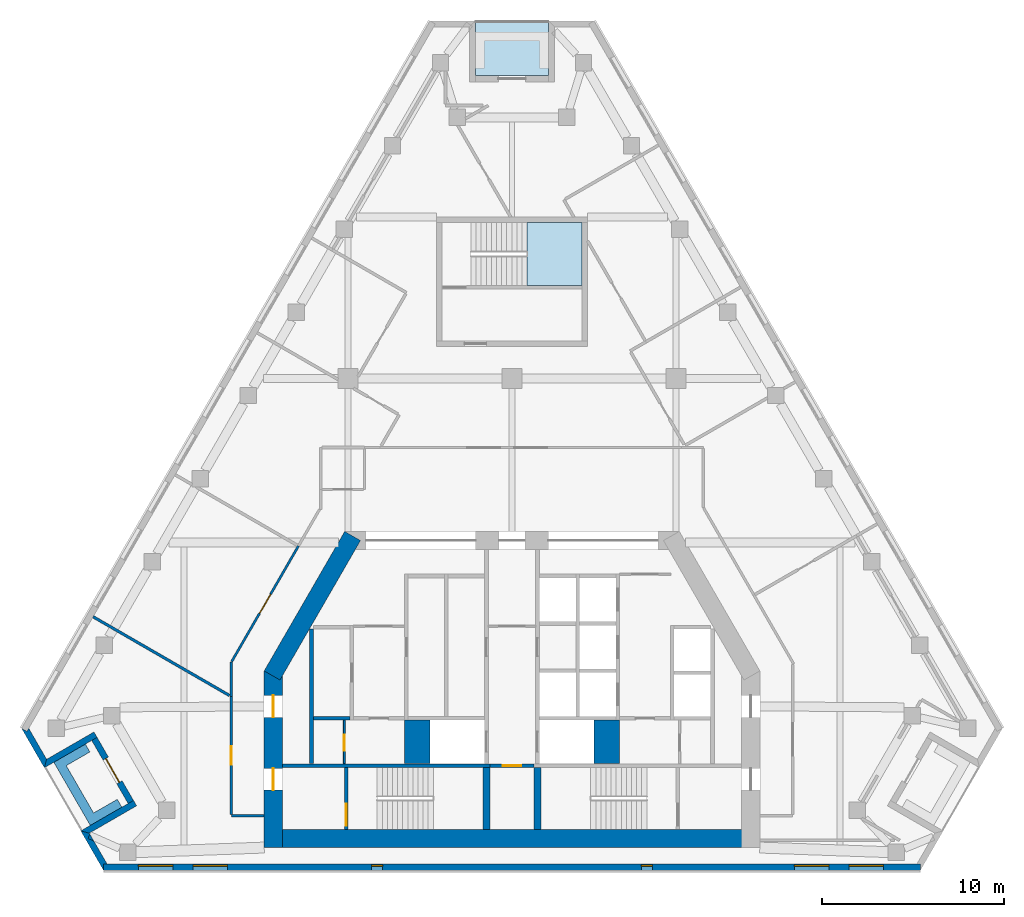
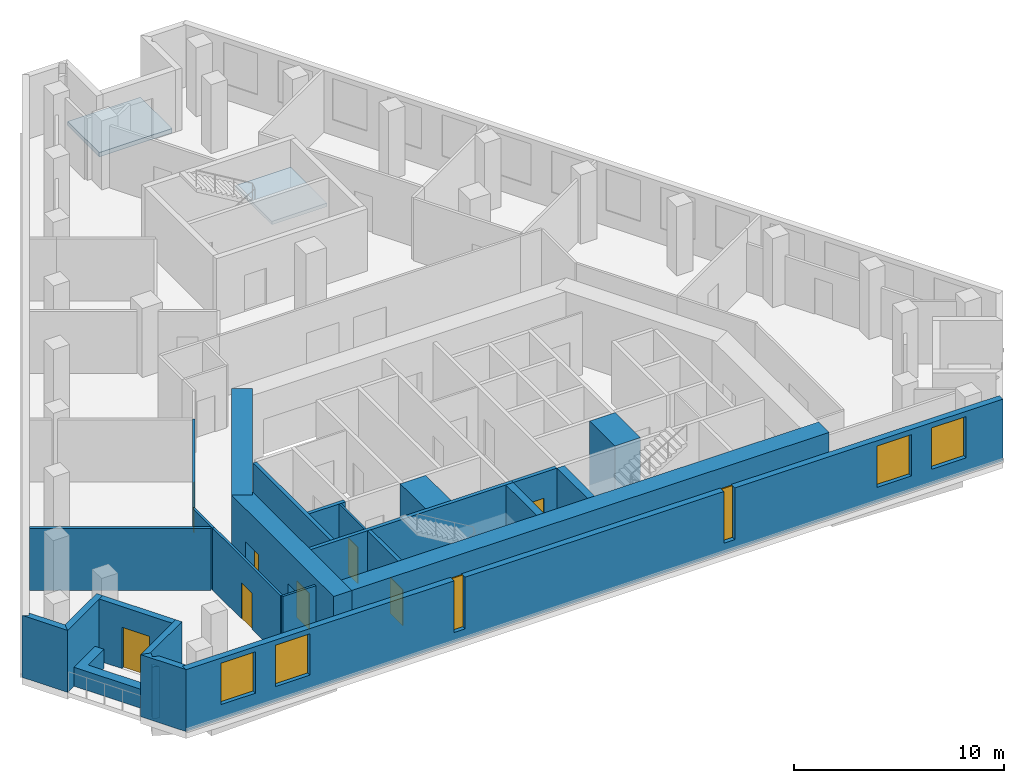
# One storey, part 2 of 8: 26 walls, 8 doors, 6 windows, 2 slabs, 14 openings, 1 element without a shape of its own.
"""IFC4 building model written with IfcOpenShell, lengths in metres."""

from ifc_helpers import new_model, si_unit, direction, frame, frame_2d, origin, place, context, subcontext, project, spatial, polyline, rectangle, outline, extrude, material, layer, layer_set, type_object, element, fill, aggregate, save


model = new_model("IFC4")

# Units and contexts
model_context = context("Model", 3, precision=1e-05, world=origin(), true_north=direction((0.0, 1.0)))
body_context = subcontext(model_context, "Body", "Model", "MODEL_VIEW")
ifc_project = project(units=[si_unit("LENGTHUNIT", "METRE"), si_unit("AREAUNIT", "SQUARE_METRE"), si_unit("VOLUMEUNIT", "CUBIC_METRE"), si_unit("PLANEANGLEUNIT", "RADIAN"), si_unit("MASSUNIT", "GRAM", prefix="KILO")], contexts=[model_context])

# Site, building, storey
site_placement = place(None, origin())
site = spatial("IfcSite", under=ifc_project, at=site_placement, CompositionType="ELEMENT")
building_placement = place(site_placement, origin())
building = spatial("IfcBuilding", under=site, at=building_placement, Name="Fogline Exchange Tower", CompositionType="ELEMENT")
storey_placement = place(building_placement, frame((0.0, 0.0, 223.5)))
storey = spatial("IfcBuildingStorey", under=building, at=storey_placement, Name="L50", CompositionType="ELEMENT", Elevation=223.5)

# Slab
ifc_material_1 = material(Name="Concrete C40", Category="concrete")
ifc_layer_1 = layer(ifc_material_1, 0.25)
ifc_layer_set_1 = layer_set([ifc_layer_1], Name="DK1")
slab_type_1 = type_object("IfcSlabType", Name="DK1", PredefinedType="FLOOR", material=ifc_layer_set_1)
slab_1_placement = place(storey_placement, frame((0.0, 0.0, -0.25)))
element("IfcSlab", 1, at=slab_1_placement, inside=storey, type_object=slab_type_1, Name="Balcony L50 N", PredefinedType="FLOOR", context=body_context, shape_type="SweptSolid", body=[
    extrude(outline(polyline([(2.0, 46.61669921875), (-2.0, 46.61669921875), (-2.0, 43.61669921875), (2.0, 43.61669921875), (2.0, 46.61669921875)])), origin(), (0.0, 0.0, 1.0), 0.25),
])

# Stair, slab
stair_type = type_object("IfcStairType", Name="STR24-1667", PredefinedType="HALF_TURN_STAIR", material=ifc_material_1)
stair_placement = place(storey_placement, origin())
stair = element("IfcStair", 2, at=stair_placement, inside=storey, type_object=stair_type, Name="Stair ST3", PredefinedType="HALF_TURN_STAIR")
ifc_layer_2 = layer(ifc_material_1, 0.199951171875)
ifc_layer_set_2 = layer_set([ifc_layer_2], Name="SL200")
slab_type_2 = type_object("IfcSlabType", Name="SL200", PredefinedType="LANDING", material=ifc_layer_set_2)
slab_2_placement = place(storey_placement, frame((0.0, 0.0, 1.800048828125)))
slab_2 = element("IfcSlab", 3, at=slab_2_placement, type_object=slab_type_2, Name="ST3 landing 1", PredefinedType="LANDING", context=body_context, shape_type="SweptSolid", body=[
    extrude(outline(polyline([(0.830078125, 32.10693359375), (3.85009765625, 32.10693359375), (3.85009765625, 35.556884765625), (0.830078125, 35.556884765625), (0.830078125, 32.10693359375)])), origin(), (0.0, 0.0, 1.0), 0.199951171875),
])
aggregate(stair, [slab_2])

# Wall, opening, door
ifc_material_2 = material(Name="Blockwork partition", Category="masonry")
ifc_layer_3 = layer(ifc_material_2, 0.10009765625)
ifc_layer_set_3 = layer_set([ifc_layer_3], Name="CW10")
wall_type_1 = type_object("IfcWallType", Name="CW10", PredefinedType="PARTITIONING", material=ifc_layer_set_3)
wall_1_placement = place(storey_placement, frame((-9.199951171875, 5.85009765625, 0.0), z_axis=(0.0, 0.0, 1.0), x_axis=(0.0, 1.0, 0.0)))
wall_1 = element("IfcWall", 4, at=wall_1_placement, inside=storey, type_object=wall_type_1, Name="WC partition", PredefinedType="PARTITIONING", context=body_context, shape_type="SweptSolid", body=[
    extrude(rectangle(XDim=2.39990234375, YDim=0.10009765625, at=frame_2d((1.199951171875, 0.0))), origin(), (0.0, 0.0, 1.0), 3.60009765625),
])
opening_1_placement = place(wall_1_placement, frame((0.699951171875, 0.0, 0.0)))
opening_1 = element("IfcOpeningElement", 5, at=opening_1_placement, cuts=wall_1, Name="Opening T16-C008", PredefinedType="OPENING", context=body_context, shape_type="SweptSolid", body=[
    extrude(rectangle(XDim=0.89990234375, YDim=2.10009765625, at=frame_2d((0.449951171875, 1.050048828125))), frame((0.0, 0.06005859375, 0.0), z_axis=(0.0, -1.0, 0.0), x_axis=(1.0, 0.0, 0.0)), (0.0, 0.0, 1.0), 0.1201171875),
])
ifc_material_3 = material(Name="Steel and timber fire door", Category="steel")
door_type_1 = type_object("IfcDoorType", Name="D-CS1", OperationType="SINGLE_SWING_RIGHT", PredefinedType="DOOR", material=ifc_material_3)
door_1_placement = place(opening_1_placement, origin())
door_1 = element("IfcDoor", 6, at=door_1_placement, inside=storey, type_object=door_type_1, Name="Door to Cleaner's Store", OperationType="SINGLE_SWING_LEFT", OverallHeight=2.10009765625, OverallWidth=0.89990234375, PredefinedType="DOOR", context=body_context, shape_type="SweptSolid", body=[
    extrude(rectangle(XDim=0.89990234375, YDim=2.10009765625, at=frame_2d((0.449951171875, 1.050048828125))), frame((0.0, 0.02490234375, 0.0), z_axis=(0.0, -1.0, 0.0), x_axis=(1.0, 0.0, 0.0)), (0.0, 0.0, 1.0), 0.050048828125),
])
fill(opening_1, door_1)

# Walls
ifc_material_4 = material(Name="Concrete C60", Category="concrete")
ifc_layer_4 = layer(ifc_material_4, 1.39990234375)
ifc_layer_set_4 = layer_set([ifc_layer_4], Name="CW140")
wall_type_2 = type_object("IfcWallType", Name="CW140", PredefinedType="SOLIDWALL", material=ifc_layer_set_4)
for number, where, z_axis, x_axis, name in (
    (7, (-5.199951171875, 5.85009765625, -0.39990234375), (0.0, 0.0, 1.0), (0.0, 1.0, 0.0), "Lift shaft block wall"),
    (8, (5.199951171875, 5.85009765625, -0.39990234375), (0.0, 0.0, 1.0), (0.0, 1.0, 0.0), "Lift shaft block wall"),
):
    element("IfcWall", number, at=place(storey_placement, frame(where, z_axis=z_axis, x_axis=x_axis)), inside=storey, type_object=wall_type_2, Name=name, PredefinedType="SOLIDWALL", context=body_context, shape_type="SweptSolid", body=[
        extrude(rectangle(XDim=2.39990234375, YDim=1.39990234375, at=frame_2d((1.199951171875, 0.0))), origin(), (0.0, 0.0, 1.0), 4.0),
    ])
ifc_layer_5 = layer(ifc_material_1, 0.199951171875)
ifc_layer_set_5 = layer_set([ifc_layer_5], Name="CW20")
wall_type_3 = type_object("IfcWallType", Name="CW20", PredefinedType="SOLIDWALL", material=ifc_layer_set_5)
wall_2_placement = place(storey_placement, frame((-11.0, 5.85009765625, 0.0), z_axis=(0.0, 0.0, 1.0), x_axis=(0.0, 1.0, 0.0)))
element("IfcWall", 9, at=wall_2_placement, inside=storey, type_object=wall_type_3, Name="Service room wall", PredefinedType="SOLIDWALL", context=body_context, shape_type="SweptSolid", body=[
    extrude(rectangle(XDim=7.39990234375, YDim=0.199951171875, at=frame_2d((3.699951171875, 0.0))), origin(), (0.0, 0.0, 1.0), 3.60009765625),
])
ifc_layer_6 = layer(ifc_material_1, 0.199951171875)
ifc_layer_set_6 = layer_set([ifc_layer_6], Name="CW20R")
wall_type_4 = type_object("IfcWallType", Name="CW20R", PredefinedType="SOLIDWALL", material=ifc_layer_set_6)
wall_3_placement = place(storey_placement, frame((-12.60009765625, 5.75, -0.39990234375), z_axis=(0.0, 0.0, 1.0), x_axis=(1.0, 0.0, 0.0)))
element("IfcWall", 10, at=wall_3_placement, inside=storey, type_object=wall_type_4, Name="Stair enclosure wall", PredefinedType="SOLIDWALL", context=body_context, shape_type="SweptSolid", body=[
    extrude(rectangle(XDim=11.400146484375, YDim=0.199951171875, at=frame_2d((5.7001953125, 0.0))), origin(), (0.0, 0.0, 1.0), 4.0),
])

# Wall, opening, door
wall_4_placement = place(storey_placement, frame((-1.199951171875, 5.75, -0.39990234375), z_axis=(0.0, 0.0, 1.0), x_axis=(1.0, 0.0, 0.0)))
wall_4 = element("IfcWall", 11, at=wall_4_placement, inside=storey, type_object=wall_type_4, Name="Stair enclosure wall", PredefinedType="SOLIDWALL", context=body_context, shape_type="SweptSolid", body=[
    extrude(rectangle(XDim=2.39990234375, YDim=0.199951171875, at=frame_2d((1.199951171875, 0.0))), origin(), (0.0, 0.0, 1.0), 4.0),
])
opening_2_placement = place(wall_4_placement, frame((0.699951171875, 0.0, 0.39990234375)))
opening_2 = element("IfcOpeningElement", 12, at=opening_2_placement, cuts=wall_4, Name="Opening T16-C005", PredefinedType="OPENING", context=body_context, shape_type="SweptSolid", body=[
    extrude(rectangle(XDim=1.0, YDim=2.10009765625, at=frame_2d((0.5, 1.050048828125))), frame((0.0, 0.10986328125, 0.0), z_axis=(0.0, -1.0, 0.0), x_axis=(1.0, 0.0, 0.0)), (0.0, 0.0, 1.0), 0.219970703125),
])
door_type_2 = type_object("IfcDoorType", Name="D-RM1", OperationType="SINGLE_SWING_LEFT", PredefinedType="DOOR", material=ifc_material_3)
door_2_placement = place(opening_2_placement, frame((1.0, 0.0, 0.0), z_axis=(0.0, 0.0, 1.0), x_axis=(-1.0, 0.0, 0.0)))
door_2 = element("IfcDoor", 13, at=door_2_placement, inside=storey, type_object=door_type_2, Name="Door to Riser Room", OperationType="SINGLE_SWING_RIGHT", OverallHeight=2.10009765625, OverallWidth=1.0, PredefinedType="DOOR", context=body_context, shape_type="SweptSolid", body=[
    extrude(rectangle(XDim=1.0, YDim=2.10009765625, at=frame_2d((0.5, 1.050048828125))), frame((0.0, 0.02490234375, 0.0), z_axis=(0.0, -1.0, 0.0), x_axis=(1.0, 0.0, 0.0)), (0.0, 0.0, 1.0), 0.050048828125),
])
fill(opening_2, door_2)

wall_5_placement = place(storey_placement, frame((-9.10009765625, 2.25, -0.39990234375), z_axis=(0.0, 0.0, 1.0), x_axis=(0.0, 1.0, 0.0)))
wall_5 = element("IfcWall", 14, at=wall_5_placement, inside=storey, type_object=wall_type_4, Name="Stair enclosure wall", PredefinedType="SOLIDWALL", context=body_context, shape_type="SweptSolid", body=[
    extrude(rectangle(XDim=3.39990234375, YDim=0.199951171875, at=frame_2d((1.699951171875, 0.0))), origin(), (0.0, 0.0, 1.0), 4.0),
])
opening_3_placement = place(wall_5_placement, frame((0.199951171875, 0.0, 0.39990234375)))
opening_3 = element("IfcOpeningElement", 15, at=opening_3_placement, cuts=wall_5, Name="Opening T16-C010", PredefinedType="OPENING", context=body_context, shape_type="SweptSolid", body=[
    extrude(rectangle(XDim=1.199951171875, YDim=2.10009765625, at=frame_2d((0.60009765625, 1.050048828125))), frame((0.0, 0.10986328125, 0.0), z_axis=(0.0, -1.0, 0.0), x_axis=(1.0, 0.0, 0.0)), (0.0, 0.0, 1.0), 0.219970703125),
])
door_type_3 = type_object("IfcDoorType", Name="D-ST1", OperationType="SINGLE_SWING_LEFT", PredefinedType="DOOR", material=ifc_material_3)
door_3_placement = place(opening_3_placement, frame((1.199951171875, 0.0, 0.0), z_axis=(0.0, 0.0, 1.0), x_axis=(-1.0, 0.0, 0.0)))
door_3 = element("IfcDoor", 16, at=door_3_placement, inside=storey, type_object=door_type_3, Name="Stair door ST1", OperationType="SINGLE_SWING_RIGHT", OverallHeight=2.10009765625, OverallWidth=1.199951171875, PredefinedType="DOOR", context=body_context, shape_type="SweptSolid", body=[
    extrude(rectangle(XDim=1.199951171875, YDim=2.10009765625, at=frame_2d((0.60009765625, 1.050048828125))), frame((0.0, 0.02490234375, 0.0), z_axis=(0.0, -1.0, 0.0), x_axis=(1.0, 0.0, 0.0)), (0.0, 0.0, 1.0), 0.050048828125),
])
fill(opening_3, door_3)

# Walls
ifc_layer_7 = layer(ifc_material_1, 0.199951171875)
ifc_layer_set_7 = layer_set([ifc_layer_7], Name="CW20S")
wall_type_5 = type_object("IfcWallType", Name="CW20S", PredefinedType="SOLIDWALL", material=ifc_layer_set_7)
wall_6_placement = place(storey_placement, frame((-10.89990234375, 8.35009765625, -0.39990234375), z_axis=(0.0, 0.0, 1.0), x_axis=(1.0, 0.0, 0.0)))
element("IfcWall", 17, at=wall_6_placement, inside=storey, type_object=wall_type_5, Name="Lift shaft wall", PredefinedType="SOLIDWALL", context=body_context, shape_type="SweptSolid", body=[
    extrude(rectangle(XDim=2.0, YDim=0.199951171875, at=frame_2d((1.0, 0.0))), origin(), (0.0, 0.0, 1.0), 4.0),
])
ifc_layer_8 = layer(ifc_material_1, 0.39990234375)
ifc_layer_set_8 = layer_set([ifc_layer_8], Name="CW40R")
wall_type_6 = type_object("IfcWallType", Name="CW40R", PredefinedType="SOLIDWALL", material=ifc_layer_set_8)
for number, where, z_axis, x_axis, name in (
    (18, (-1.39990234375, 2.25, -0.39990234375), (0.0, 0.0, 1.0), (0.0, 1.0, 0.0), "Stair and lift shaft wall"),
    (19, (1.39990234375, 2.25, -0.39990234375), (0.0, 0.0, 1.0), (0.0, 1.0, 0.0), "Stair and lift shaft wall"),
):
    element("IfcWall", number, at=place(storey_placement, frame(where, z_axis=z_axis, x_axis=x_axis)), inside=storey, type_object=wall_type_6, Name=name, PredefinedType="SOLIDWALL", context=body_context, shape_type="SweptSolid", body=[
        extrude(rectangle(XDim=3.39990234375, YDim=0.39990234375, at=frame_2d((1.699951171875, 0.0))), origin(), (0.0, 0.0, 1.0), 4.0),
    ])
ifc_material_5 = material(Name="Brick masonry", Category="masonry")
ifc_layer_9 = layer(ifc_material_5, 0.340087890625)
ifc_layer_set_9 = layer_set([ifc_layer_9], Name="FW1")
wall_type_7 = type_object("IfcWallType", Name="FW1", PredefinedType="SOLIDWALL", material=ifc_layer_set_9)
wall_7_placement = place(storey_placement, origin())
element("IfcWall", 20, at=wall_7_placement, inside=storey, type_object=wall_type_7, Name="Brick wall L50 SW-c1", PredefinedType="SOLIDWALL", context=body_context, shape_type="SweptSolid", body=[
    extrude(outline(polyline([(-25.6640625, 5.6279296875), (-26.915283203125, 7.794921875), (-26.914794921875, 7.79541015625), (-26.619873046875, 7.625), (-26.521484375, 7.79541015625), (-25.5390625, 6.09375), (-25.663818359375, 5.6279296875), (-25.6640625, 5.6279296875)])), origin(), (0.0, 0.0, 1.0), 3.60009765625),
])
wall_8_placement = place(storey_placement, origin())
element("IfcWall", 21, at=wall_8_placement, inside=storey, type_object=wall_type_7, Name="Brick wall L50 SW-s1", PredefinedType="SOLIDWALL", context=body_context, shape_type="SweptSolid", body=[
    extrude(outline(polyline([(-22.94140625, 7.594482421875), (-22.770751953125, 7.298828125), (-23.065673828125, 7.128662109375), (-25.664794921875, 5.628173828125), (-25.6650390625, 5.62841796875), (-25.540283203125, 6.093994140625), (-22.94140625, 7.594482421875)])), origin(), (0.0, 0.0, 1.0), 3.60009765625),
])

# Wall, opening, door
wall_9_placement = place(storey_placement, frame((-22.9189453125, 7.214111328125, 0.0), z_axis=(0.0, 0.0, 1.0), x_axis=(0.49999894854, -0.866026010844, 0.0)))
wall_9 = element("IfcWall", 22, at=wall_9_placement, inside=storey, type_object=wall_type_7, Name="Brick wall L50 SW-bk", PredefinedType="SOLIDWALL", context=body_context, shape_type="SweptSolid", body=[
    extrude(rectangle(XDim=4.0, YDim=0.340087890625, at=frame_2d((2.0, 0.0))), origin(), (0.0, 0.0, 1.0), 3.60009765625),
])
opening_4_placement = place(wall_9_placement, frame((1.25, 0.0, 0.0)))
opening_4 = element("IfcOpeningElement", 23, at=opening_4_placement, cuts=wall_9, Name="Opening T16-E021", PredefinedType="OPENING", context=body_context, shape_type="SweptSolid", body=[
    extrude(rectangle(XDim=1.5, YDim=2.39990234375, at=frame_2d((0.75, 1.199951171875))), frame((0.0, 0.18017578125, 0.0), z_axis=(0.0, -1.0, 0.0), x_axis=(1.0, 0.0, 0.0)), (0.0, 0.0, 1.0), 0.360107421875),
])
ifc_material_6 = material(Name="Aluminium and glass", Category="aluminium")
door_type_4 = type_object("IfcDoorType", Name="ED4", OperationType="SINGLE_SWING_LEFT", PredefinedType="DOOR", material=ifc_material_6)
door_4_placement = place(opening_4_placement, frame((1.5, 0.0, 0.0), z_axis=(0.0, 0.0, 1.0), x_axis=(-1.0, 0.0, 0.0)))
door_4 = element("IfcDoor", 24, at=door_4_placement, inside=storey, type_object=door_type_4, Name="Balcony door L50 SW", OperationType="DOUBLE_DOOR_SINGLE_SWING", OverallHeight=2.39990234375, OverallWidth=1.5, PredefinedType="DOOR", context=body_context, shape_type="SweptSolid", body=[
    extrude(rectangle(XDim=1.5, YDim=2.39990234375, at=frame_2d((0.75, 1.199951171875))), frame((0.0, 0.02490234375, 0.0), z_axis=(0.0, -1.0, 0.0), x_axis=(1.0, 0.0, 0.0)), (0.0, 0.0, 1.0), 0.050048828125),
])
fill(opening_4, door_4)

# Walls
wall_10_placement = place(storey_placement, origin())
element("IfcWall", 25, at=wall_10_placement, inside=storey, type_object=wall_type_7, Name="Brick wall L50 SW-s2", PredefinedType="SOLIDWALL", context=body_context, shape_type="SweptSolid", body=[
    extrude(outline(polyline([(-23.665283203125, 2.1650390625), (-21.06640625, 3.66552734375), (-20.771484375, 3.8359375), (-20.600830078125, 3.540283203125), (-23.19970703125, 2.0400390625), (-23.665283203125, 2.164794921875), (-23.665283203125, 2.1650390625)])), origin(), (0.0, 0.0, 1.0), 3.60009765625),
])
wall_11_placement = place(storey_placement, origin())
element("IfcWall", 26, at=wall_11_placement, inside=storey, type_object=wall_type_7, Name="Brick wall L50 SW-c2", PredefinedType="SOLIDWALL", context=body_context, shape_type="SweptSolid", body=[
    extrude(outline(polyline([(-22.9482421875, 1.606201171875), (-23.271484375, 1.75), (-23.1669921875, 1.985107421875), (-22.9482421875, 1.606201171875)])), origin(), (0.0, 0.0, 1.0), 3.0),
])
wall_12_placement = place(storey_placement, origin())
element("IfcWall", 27, at=wall_12_placement, inside=storey, type_object=wall_type_7, Name="Brick wall L50 SW-c2", PredefinedType="SOLIDWALL", context=body_context, shape_type="SweptSolid", body=[
    extrude(outline(polyline([(-22.41357421875, 0.33935546875), (-22.41357421875, -0.0009765625), (-22.4140625, -0.001220703125), (-23.665283203125, 2.165771484375), (-23.6650390625, 2.166015625), (-23.19921875, 2.041015625), (-23.1669921875, 1.985107421875), (-23.271484375, 1.75), (-22.9482421875, 1.606201171875), (-22.216796875, 0.33935546875), (-22.41357421875, 0.33935546875)])), origin(), (0.0, 0.0, 1.0), 3.60009765625),
])

# Wall, openings, windows
wall_13_placement = place(storey_placement, frame((-22.4140625, 0.169921875, 0.0), z_axis=(0.0, 0.0, 1.0), x_axis=(1.0, 0.0, 0.0)))
wall_13 = element("IfcWall", 28, at=wall_13_placement, inside=storey, type_object=wall_type_7, Name="Brick wall L50 S", PredefinedType="SOLIDWALL", context=body_context, shape_type="SweptSolid", body=[
    extrude(rectangle(XDim=44.828125, YDim=0.340087890625, at=frame_2d((22.4140625, 0.0))), origin(), (0.0, 0.0, 1.0), 3.60009765625),
])
opening_5_placement = place(wall_13_placement, frame((1.9140625, 0.0, 0.89990234375)))
opening_5 = element("IfcOpeningElement", 29, at=opening_5_placement, cuts=wall_13, Name="Opening W1", PredefinedType="OPENING", context=body_context, shape_type="SweptSolid", body=[
    extrude(rectangle(XDim=1.885009765625, YDim=2.39990234375, at=frame_2d((0.9423828125, 1.199951171875))), frame((0.0, 0.18017578125, 0.0), z_axis=(0.0, -1.0, 0.0), x_axis=(1.0, 0.0, 0.0)), (0.0, 0.0, 1.0), 0.360107421875),
])
opening_6_placement = place(wall_13_placement, frame((4.9140625, 0.0, 0.89990234375)))
opening_6 = element("IfcOpeningElement", 30, at=opening_6_placement, cuts=wall_13, Name="Opening W1", PredefinedType="OPENING", context=body_context, shape_type="SweptSolid", body=[
    extrude(rectangle(XDim=1.885009765625, YDim=2.39990234375, at=frame_2d((0.9423828125, 1.199951171875))), frame((0.0, 0.18017578125, 0.0), z_axis=(0.0, -1.0, 0.0), x_axis=(1.0, 0.0, 0.0)), (0.0, 0.0, 1.0), 0.360107421875),
])
opening_7_placement = place(wall_13_placement, frame((37.9140625, 0.0, 0.89990234375)))
opening_7 = element("IfcOpeningElement", 31, at=opening_7_placement, cuts=wall_13, Name="Opening W1", PredefinedType="OPENING", context=body_context, shape_type="SweptSolid", body=[
    extrude(rectangle(XDim=1.885009765625, YDim=2.39990234375, at=frame_2d((0.9423828125, 1.199951171875))), frame((0.0, 0.18017578125, 0.0), z_axis=(0.0, -1.0, 0.0), x_axis=(1.0, 0.0, 0.0)), (0.0, 0.0, 1.0), 0.360107421875),
])
opening_8_placement = place(wall_13_placement, frame((40.9140625, 0.0, 0.89990234375)))
opening_8 = element("IfcOpeningElement", 32, at=opening_8_placement, cuts=wall_13, Name="Opening W1", PredefinedType="OPENING", context=body_context, shape_type="SweptSolid", body=[
    extrude(rectangle(XDim=1.885009765625, YDim=2.39990234375, at=frame_2d((0.9423828125, 1.199951171875))), frame((0.0, 0.18017578125, 0.0), z_axis=(0.0, -1.0, 0.0), x_axis=(1.0, 0.0, 0.0)), (0.0, 0.0, 1.0), 0.360107421875),
])
opening_9_placement = place(wall_13_placement, frame((14.714111328125, 0.0, 0.60009765625)))
opening_9 = element("IfcOpeningElement", 33, at=opening_9_placement, cuts=wall_13, Name="Opening W5", PredefinedType="OPENING", context=body_context, shape_type="SweptSolid", body=[
    extrude(rectangle(XDim=0.60009765625, YDim=3.0, at=frame_2d((0.300048828125, 1.5))), frame((0.0, 0.18017578125, 0.0), z_axis=(0.0, -1.0, 0.0), x_axis=(1.0, 0.0, 0.0)), (0.0, 0.0, 1.0), 0.360107421875),
])
opening_10_placement = place(wall_13_placement, frame((29.51416015625, 0.0, 0.60009765625)))
opening_10 = element("IfcOpeningElement", 34, at=opening_10_placement, cuts=wall_13, Name="Opening W5", PredefinedType="OPENING", context=body_context, shape_type="SweptSolid", body=[
    extrude(rectangle(XDim=0.60009765625, YDim=3.0, at=frame_2d((0.300048828125, 1.5))), frame((0.0, 0.18017578125, 0.0), z_axis=(0.0, -1.0, 0.0), x_axis=(1.0, 0.0, 0.0)), (0.0, 0.0, 1.0), 0.360107421875),
])
window_type_1 = type_object("IfcWindowType", Name="W1", PartitioningType="SINGLE_PANEL", PredefinedType="WINDOW", material=ifc_material_6)
window_1_placement = place(opening_5_placement, origin())
window_1 = element("IfcWindow", 35, at=window_1_placement, inside=storey, type_object=window_type_1, Name="W1 W1", OverallHeight=2.39990234375, OverallWidth=1.885009765625, PartitioningType="SINGLE_PANEL", PredefinedType="WINDOW", context=body_context, shape_type="SweptSolid", body=[
    extrude(rectangle(XDim=1.885009765625, YDim=2.39990234375, at=frame_2d((0.9423828125, 1.199951171875))), frame((0.0, 0.110107421875, 0.0), z_axis=(0.0, -1.0, 0.0), x_axis=(1.0, 0.0, 0.0)), (0.0, 0.0, 1.0), 0.06005859375),
])
fill(opening_5, window_1)
window_2_placement = place(opening_6_placement, origin())
window_2 = element("IfcWindow", 36, at=window_2_placement, inside=storey, type_object=window_type_1, Name="W1 W1", OverallHeight=2.39990234375, OverallWidth=1.885009765625, PartitioningType="SINGLE_PANEL", PredefinedType="WINDOW", context=body_context, shape_type="SweptSolid", body=[
    extrude(rectangle(XDim=1.885009765625, YDim=2.39990234375, at=frame_2d((0.9423828125, 1.199951171875))), frame((0.0, 0.110107421875, 0.0), z_axis=(0.0, -1.0, 0.0), x_axis=(1.0, 0.0, 0.0)), (0.0, 0.0, 1.0), 0.06005859375),
])
fill(opening_6, window_2)
window_3_placement = place(opening_7_placement, origin())
window_3 = element("IfcWindow", 37, at=window_3_placement, inside=storey, type_object=window_type_1, Name="W1 W1", OverallHeight=2.39990234375, OverallWidth=1.885009765625, PartitioningType="SINGLE_PANEL", PredefinedType="WINDOW", context=body_context, shape_type="SweptSolid", body=[
    extrude(rectangle(XDim=1.885009765625, YDim=2.39990234375, at=frame_2d((0.9423828125, 1.199951171875))), frame((0.0, 0.110107421875, 0.0), z_axis=(0.0, -1.0, 0.0), x_axis=(1.0, 0.0, 0.0)), (0.0, 0.0, 1.0), 0.06005859375),
])
fill(opening_7, window_3)
window_4_placement = place(opening_8_placement, origin())
window_4 = element("IfcWindow", 38, at=window_4_placement, inside=storey, type_object=window_type_1, Name="W1 W1", OverallHeight=2.39990234375, OverallWidth=1.885009765625, PartitioningType="SINGLE_PANEL", PredefinedType="WINDOW", context=body_context, shape_type="SweptSolid", body=[
    extrude(rectangle(XDim=1.885009765625, YDim=2.39990234375, at=frame_2d((0.9423828125, 1.199951171875))), frame((0.0, 0.110107421875, 0.0), z_axis=(0.0, -1.0, 0.0), x_axis=(1.0, 0.0, 0.0)), (0.0, 0.0, 1.0), 0.06005859375),
])
fill(opening_8, window_4)
window_type_2 = type_object("IfcWindowType", Name="W5", PartitioningType="SINGLE_PANEL", PredefinedType="WINDOW", material=ifc_material_6)
window_5_placement = place(opening_9_placement, origin())
window_5 = element("IfcWindow", 39, at=window_5_placement, inside=storey, type_object=window_type_2, Name="W5 W5", OverallHeight=3.0, OverallWidth=0.60009765625, PartitioningType="SINGLE_PANEL", PredefinedType="WINDOW", context=body_context, shape_type="SweptSolid", body=[
    extrude(rectangle(XDim=0.60009765625, YDim=3.0, at=frame_2d((0.300048828125, 1.5))), frame((0.0, 0.110107421875, 0.0), z_axis=(0.0, -1.0, 0.0), x_axis=(1.0, 0.0, 0.0)), (0.0, 0.0, 1.0), 0.06005859375),
])
fill(opening_9, window_5)
window_6_placement = place(opening_10_placement, origin())
window_6 = element("IfcWindow", 40, at=window_6_placement, inside=storey, type_object=window_type_2, Name="W5 W5", OverallHeight=3.0, OverallWidth=0.60009765625, PartitioningType="SINGLE_PANEL", PredefinedType="WINDOW", context=body_context, shape_type="SweptSolid", body=[
    extrude(rectangle(XDim=0.60009765625, YDim=3.0, at=frame_2d((0.300048828125, 1.5))), frame((0.0, 0.110107421875, 0.0), z_axis=(0.0, -1.0, 0.0), x_axis=(1.0, 0.0, 0.0)), (0.0, 0.0, 1.0), 0.06005859375),
])
fill(opening_10, window_6)

# Walls
ifc_material_7 = material(Name="Concrete C30", Category="concrete")
ifc_layer_10 = layer(ifc_material_7, 0.199951171875)
ifc_layer_set_10 = layer_set([ifc_layer_10], Name="PL1")
wall_type_8 = type_object("IfcWallType", Name="PL1", PredefinedType="USERDEFINED", material=ifc_layer_set_10)
wall_14_placement = place(storey_placement, origin())
element("IfcWall", 41, at=wall_14_placement, inside=storey, type_object=wall_type_8, Name="PLANTER balcony L50 SW", ObjectType="PLANTER", PredefinedType="USERDEFINED", context=body_context, shape_type="SweptSolid", body=[
    extrude(outline(polyline([(-21.66259765625, 3.898193359375), (-22.96142578125, 3.148193359375), (-24.46142578125, 5.74609375), (-23.16259765625, 6.49609375), (-23.41259765625, 6.92919921875), (-25.14453125, 5.92919921875), (-24.89453125, 5.49609375), (-23.14453125, 2.465087890625), (-22.71142578125, 2.715087890625), (-22.71142578125, 2.715087890625), (-21.41259765625, 3.465087890625), (-21.66259765625, 3.898193359375)])), origin(), (0.0, 0.0, 1.0), 1.10009765625),
])
ifc_material_8 = material(Name="Plasterboard corridor partition with mineral wool, 2 layers each side")
ifc_layer_11 = layer(ifc_material_8, 0.125)
ifc_layer_set_11 = layer_set([ifc_layer_11], Name="PW2")
wall_type_9 = type_object("IfcWallType", Name="PW2", PredefinedType="PARTITIONING", material=ifc_layer_set_11)
wall_15_placement = place(storey_placement, frame((-15.39990234375, 9.534912109375, 0.0), z_axis=(0.0, 0.0, 1.0), x_axis=(0.0, 1.0, 0.0)))
element("IfcWall", 42, at=wall_15_placement, inside=storey, type_object=wall_type_9, Name="wall-L50-W013", PredefinedType="PARTITIONING", context=body_context, shape_type="SweptSolid", body=[
    extrude(rectangle(XDim=1.892822265625, YDim=0.125, at=frame_2d((0.9462890625, 0.0))), origin(), (0.0, 0.0, 1.0), 3.60009765625),
])

# Wall, opening, door
wall_16_placement = place(storey_placement, frame((-15.384521484375, 11.45458984375, 0.0), z_axis=(0.0, 0.0, 1.0), x_axis=(0.500007885066, 0.866020851292, 0.0)))
wall_16 = element("IfcWall", 43, at=wall_16_placement, inside=storey, type_object=wall_type_9, Name="wall-L50-W014", PredefinedType="PARTITIONING", context=body_context, shape_type="SweptSolid", body=[
    extrude(rectangle(XDim=7.330078125, YDim=0.125, at=frame_2d((3.6650390625, 0.0))), origin(), (0.0, 0.0, 1.0), 3.60009765625),
])
opening_11_placement = place(wall_16_placement, frame((3.06494140625, 0.0, 0.0)))
opening_11 = element("IfcOpeningElement", 44, at=opening_11_placement, cuts=wall_16, Name="Opening T16-D005", PredefinedType="OPENING", context=body_context, shape_type="SweptSolid", body=[
    extrude(rectangle(XDim=1.199951171875, YDim=2.10009765625, at=frame_2d((0.60009765625, 1.050048828125))), frame((0.0, 0.072509765625, 0.0), z_axis=(0.0, -1.0, 0.0), x_axis=(1.0, 0.0, 0.0)), (0.0, 0.0, 1.0), 0.14501953125),
])
ifc_material_9 = material(Name="Fire-rated glazed door leaf with steel frame", Category="steel")
door_type_5 = type_object("IfcDoorType", Name="D5", OperationType="SINGLE_SWING_LEFT", PredefinedType="DOOR", material=ifc_material_9)
door_5_placement = place(opening_11_placement, origin())
door_5 = element("IfcDoor", 45, at=door_5_placement, inside=storey, type_object=door_type_5, Name="door-L50-D005", OperationType="SINGLE_SWING_LEFT", OverallHeight=2.10009765625, OverallWidth=1.199951171875, PredefinedType="DOOR", context=body_context, shape_type="SweptSolid", body=[
    extrude(rectangle(XDim=1.199951171875, YDim=2.10009765625, at=frame_2d((0.60009765625, 1.050048828125))), frame((0.0, 0.02490234375, 0.0), z_axis=(0.0, -1.0, 0.0), x_axis=(1.0, 0.0, 0.0)), (0.0, 0.0, 1.0), 0.050048828125),
])
fill(opening_11, door_5)

# Wall
wall_17_placement = place(storey_placement, frame((-13.60009765625, 3.0, 0.0), z_axis=(0.0, 0.0, 1.0), x_axis=(-1.0, 0.0, 0.0)))
element("IfcWall", 46, at=wall_17_placement, inside=storey, type_object=wall_type_9, Name="wall-L50-W015", PredefinedType="PARTITIONING", context=body_context, shape_type="SweptSolid", body=[
    extrude(rectangle(XDim=1.7998046875, YDim=0.125, at=frame_2d((0.89990234375, 0.0))), origin(), (0.0, 0.0, 1.0), 3.60009765625),
])

# Wall, opening, door
wall_18_placement = place(storey_placement, frame((-15.39990234375, 3.0625, 0.0), z_axis=(0.0, 0.0, 1.0), x_axis=(0.0, 1.0, 0.0)))
wall_18 = element("IfcWall", 47, at=wall_18_placement, inside=storey, type_object=wall_type_9, Name="wall-L50-W016", PredefinedType="PARTITIONING", context=body_context, shape_type="SweptSolid", body=[
    extrude(rectangle(XDim=6.472412109375, YDim=0.125, at=frame_2d((3.236328125, 0.0))), origin(), (0.0, 0.0, 1.0), 3.60009765625),
])
opening_12_placement = place(wall_18_placement, frame((2.736083984375, 0.0, 0.0)))
opening_12 = element("IfcOpeningElement", 48, at=opening_12_placement, cuts=wall_18, Name="Opening T16-D006", PredefinedType="OPENING", context=body_context, shape_type="SweptSolid", body=[
    extrude(rectangle(XDim=1.0, YDim=2.10009765625, at=frame_2d((0.5, 1.050048828125))), frame((0.0, 0.072509765625, 0.0), z_axis=(0.0, -1.0, 0.0), x_axis=(1.0, 0.0, 0.0)), (0.0, 0.0, 1.0), 0.14501953125),
])
ifc_material_10 = material(Name="Fire-rated timber door leaf with steel frame", Category="steel")
door_type_6 = type_object("IfcDoorType", Name="D3", OperationType="SINGLE_SWING_LEFT", PredefinedType="DOOR", material=ifc_material_10)
door_6_placement = place(opening_12_placement, origin())
door_6 = element("IfcDoor", 49, at=door_6_placement, inside=storey, type_object=door_type_6, Name="door-L50-D006", OperationType="SINGLE_SWING_LEFT", OverallHeight=2.10009765625, OverallWidth=1.0, PredefinedType="DOOR", context=body_context, shape_type="SweptSolid", body=[
    extrude(rectangle(XDim=1.0, YDim=2.10009765625, at=frame_2d((0.5, 1.050048828125))), frame((0.0, 0.02490234375, 0.0), z_axis=(0.0, -1.0, 0.0), x_axis=(1.0, 0.0, 0.0)), (0.0, 0.0, 1.0), 0.050048828125),
])
fill(opening_12, door_6)

# Walls
ifc_material_11 = material(Name="Plasterboard demising partition with mineral wool and acoustic board")
ifc_layer_12 = layer(ifc_material_11, 0.14990234375)
ifc_layer_set_12 = layer_set([ifc_layer_12], Name="PW3")
wall_type_10 = type_object("IfcWallType", Name="PW3", PredefinedType="PARTITIONING", material=ifc_layer_set_12)
wall_19_placement = place(storey_placement, frame((-15.50048828125, 9.593017578125, 0.0), z_axis=(0.0, 0.0, 1.0), x_axis=(-0.866025689381, 0.499999505331, 0.0)))
element("IfcWall", 50, at=wall_19_placement, inside=storey, type_object=wall_type_10, Name="wall-L50-W044", PredefinedType="PARTITIONING", context=body_context, shape_type="SweptSolid", body=[
    extrude(rectangle(XDim=8.64501953125, YDim=0.14990234375, at=frame_2d((4.322509765625, 0.0))), origin(), (0.0, 0.0, 1.0), 3.60009765625),
])
ifc_layer_13 = layer(ifc_material_4, 1.0)
ifc_layer_set_13 = layer_set([ifc_layer_13], Name="SW03")
wall_type_11 = type_object("IfcWallType", Name="SW03", PredefinedType="SHEAR", material=ifc_layer_set_13)
wall_20_placement = place(storey_placement, frame((-13.60009765625, 1.75, 0.0), z_axis=(0.0, 0.0, 1.0), x_axis=(1.0, 0.0, 0.0)))
element("IfcWall", 51, at=wall_20_placement, inside=storey, type_object=wall_type_11, Name="L50-W901", PredefinedType="SHEAR", context=body_context, shape_type="SweptSolid", body=[
    extrude(rectangle(XDim=27.2001953125, YDim=1.0, at=frame_2d((13.60009765625, 0.0))), origin(), (0.0, 0.0, 1.0), 4.0),
])
wall_21_placement = place(storey_placement, frame((-8.74755859375, 18.35009765625, 0.0), z_axis=(0.0, 0.0, 1.0), x_axis=(-0.499995021168, -0.866028278295, 0.0)))
element("IfcWall", 52, at=wall_21_placement, inside=storey, type_object=wall_type_11, Name="L50-W905", PredefinedType="SHEAR", context=body_context, shape_type="SweptSolid", body=[
    extrude(rectangle(XDim=8.8388671875, YDim=1.0, at=frame_2d((4.41943359375, 0.0))), origin(), (0.0, 0.0, 1.0), 4.0),
])

# Wall, openings, doors
wall_22_placement = place(storey_placement, frame((-13.10009765625, 10.9453125, 0.0), z_axis=(0.0, 0.0, 1.0), x_axis=(0.0, -1.0, 0.0)))
wall_22 = element("IfcWall", 53, at=wall_22_placement, inside=storey, type_object=wall_type_11, Name="L50-W906", PredefinedType="SHEAR", context=body_context, shape_type="SweptSolid", body=[
    extrude(rectangle(XDim=9.6953125, YDim=1.0, at=frame_2d((4.84765625, 0.0))), origin(), (0.0, 0.0, 1.0), 4.0),
])
opening_13_placement = place(wall_22_placement, frame((5.345458984375, 0.0, 0.0)))
opening_13 = element("IfcOpeningElement", 54, at=opening_13_placement, cuts=wall_22, Name="Opening T16-C009", PredefinedType="OPENING", context=body_context, shape_type="SweptSolid", body=[
    extrude(rectangle(XDim=1.199951171875, YDim=2.10009765625, at=frame_2d((0.60009765625, 1.050048828125))), frame((0.0, 0.510009765625, 0.0), z_axis=(0.0, -1.0, 0.0), x_axis=(1.0, 0.0, 0.0)), (0.0, 0.0, 1.0), 1.02001953125),
])
opening_14_placement = place(wall_22_placement, frame((1.345458984375, 0.0, 0.0)))
opening_14 = element("IfcOpeningElement", 55, at=opening_14_placement, cuts=wall_22, Name="Opening T16-C011", PredefinedType="OPENING", context=body_context, shape_type="SweptSolid", body=[
    extrude(rectangle(XDim=1.199951171875, YDim=2.10009765625, at=frame_2d((0.60009765625, 1.050048828125))), frame((0.0, 0.510009765625, 0.0), z_axis=(0.0, -1.0, 0.0), x_axis=(1.0, 0.0, 0.0)), (0.0, 0.0, 1.0), 1.02001953125),
])
door_type_7 = type_object("IfcDoorType", Name="D-FR1", OperationType="SINGLE_SWING_RIGHT", PredefinedType="DOOR", material=ifc_material_3)
door_7_placement = place(opening_13_placement, origin())
door_7 = element("IfcDoor", 56, at=door_7_placement, inside=storey, type_object=door_type_7, Name="Front room door ST1", OperationType="SINGLE_SWING_LEFT", OverallHeight=2.10009765625, OverallWidth=1.199951171875, PredefinedType="DOOR", context=body_context, shape_type="SweptSolid", body=[
    extrude(rectangle(XDim=1.199951171875, YDim=2.10009765625, at=frame_2d((0.60009765625, 1.050048828125))), frame((0.0, 0.02490234375, 0.0), z_axis=(0.0, -1.0, 0.0), x_axis=(1.0, 0.0, 0.0)), (0.0, 0.0, 1.0), 0.050048828125),
])
fill(opening_13, door_7)
door_type_8 = type_object("IfcDoorType", Name="D-SV1", OperationType="SINGLE_SWING_LEFT", PredefinedType="DOOR", material=ifc_material_3)
door_8_placement = place(opening_14_placement, origin())
door_8 = element("IfcDoor", 57, at=door_8_placement, inside=storey, type_object=door_type_8, Name="Service door W", OperationType="SINGLE_SWING_LEFT", OverallHeight=2.10009765625, OverallWidth=1.199951171875, PredefinedType="DOOR", context=body_context, shape_type="SweptSolid", body=[
    extrude(rectangle(XDim=1.199951171875, YDim=2.10009765625, at=frame_2d((0.60009765625, 1.050048828125))), frame((0.0, 0.02490234375, 0.0), z_axis=(0.0, -1.0, 0.0), x_axis=(1.0, 0.0, 0.0)), (0.0, 0.0, 1.0), 0.050048828125),
])
fill(opening_14, door_8)

save(model, "model.ifc")
